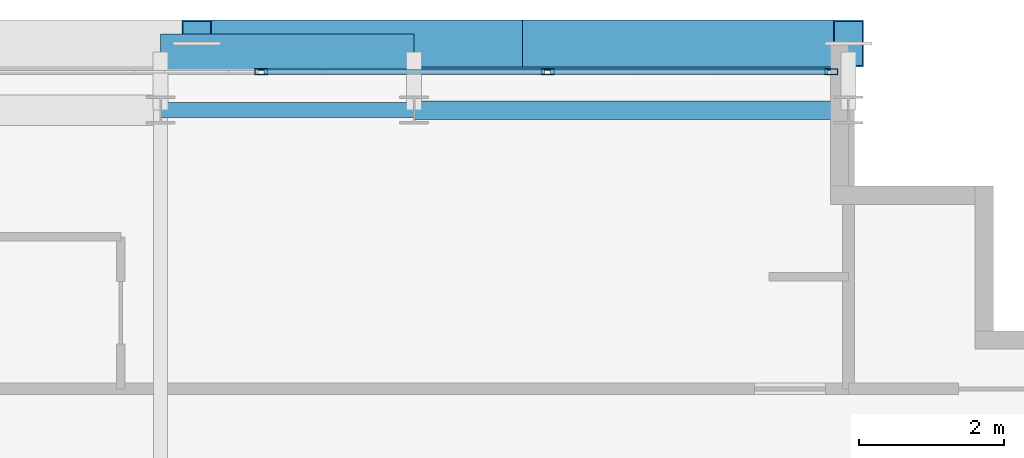
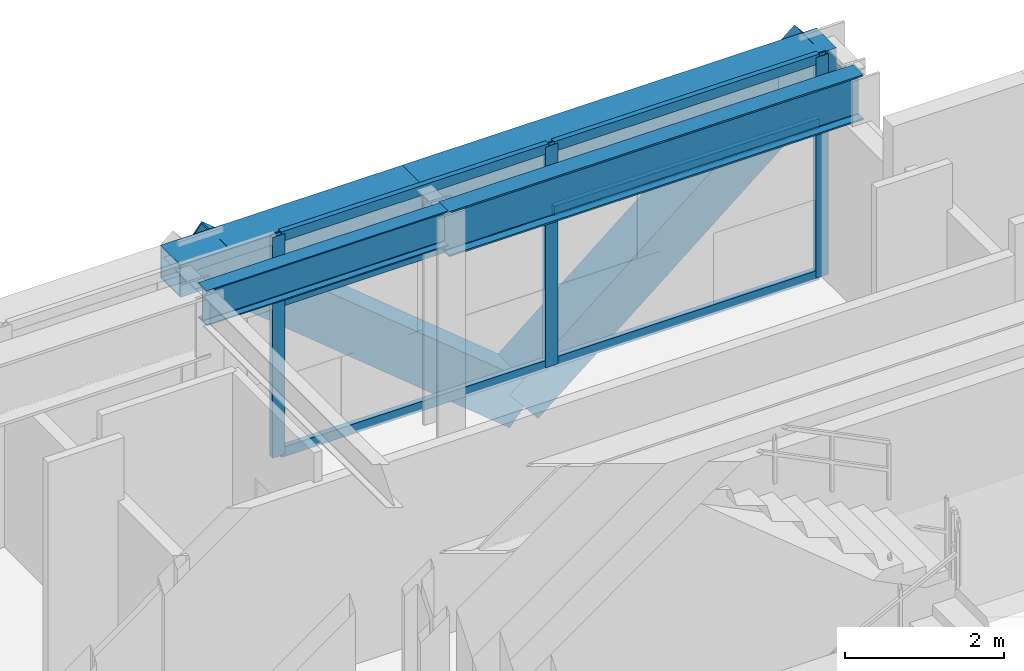
# One storey, part 17 of 29: 11 members, 4 beams, 1 element without a shape of its own.
"""IFC4 building model written with IfcOpenShell, lengths in metres."""

from ifc_helpers import new_model, si_unit, direction, frame, origin, origin_2d, place, context, subcontext, project, spatial, hollow_rectangle, i_section, extrude, source, transform, mapped, material, layer, layer_set, material_profile, profile_set, type_object, element, aggregate, save


model = new_model("IFC4")

# Units and contexts
model_context = context("Model", 3, precision=1e-05, world=origin(), true_north=direction((0.0, 1.0)))
body_context = subcontext(model_context, "Body", "Model", "MODEL_VIEW")
ifc_project = project(units=[si_unit("LENGTHUNIT", "METRE"), si_unit("AREAUNIT", "SQUARE_METRE"), si_unit("VOLUMEUNIT", "CUBIC_METRE"), si_unit("PLANEANGLEUNIT", "RADIAN"), si_unit("MASSUNIT", "GRAM", prefix="KILO")], contexts=[model_context])

# Site, building, storey
site_placement = place(None, origin())
site = spatial("IfcSite", under=ifc_project, at=site_placement, CompositionType="ELEMENT")
building_placement = place(site_placement, origin())
building = spatial("IfcBuilding", under=site, at=building_placement, Name="Ocotamira Hotel", CompositionType="ELEMENT")
storey_placement = place(building_placement, frame((0.0, 0.0, 247.199951171875)))
storey = spatial("IfcBuildingStorey", under=building, at=storey_placement, Name="L62", CompositionType="ELEMENT", Elevation=247.199951171875)

# Beams
ifc_material_1 = material(Name="Steel ASTM A992 Grade 50", Category="steel")
ifc_material_profile_1 = material_profile(ifc_material_1, i_section(OverallWidth=0.256103515625, OverallDepth=0.693115234375, WebThickness=0.014404296875, FlangeThickness=0.023681640625, FilletRadius=0.01611328125, at=origin_2d()), Name="W27X114")
ifc_profile_set_1 = profile_set([ifc_material_profile_1], Name="Steel ASTM A992 Grade 50")
beam_type_1 = type_object("IfcBeamType", Name="BM-PRIM-W27X114", PredefinedType="BEAM", material=ifc_profile_set_1)
shared_shape_1 = source(origin(), body_context, "Body", "SweptSolid", [
    extrude(i_section(OverallWidth=0.256103515625, OverallDepth=0.693115234375, WebThickness=0.014404296875, FlangeThickness=0.023681640625, FilletRadius=0.01611328125, at=origin_2d()), origin(), (0.0, 0.0, 1.0), 6.0),
])
beam_1_placement = place(storey_placement, frame((44.0, 43.050048828125, 3.033447265625), z_axis=(1.0, 0.0, 0.0), x_axis=(0.0, 1.0, 0.0)))
element("IfcBeam", 1, at=beam_1_placement, inside=storey, type_object=beam_type_1, Name="L62 Girder Y43.05 X44-50", PredefinedType="BEAM", context=body_context, shape_type="MappedRepresentation", body=[
    mapped(shared_shape_1, transform((0.0, 0.0, 0.0), scale=1.0)),
])
ifc_material_profile_2 = material_profile(ifc_material_1, i_section(OverallWidth=0.2099609375, OverallDepth=0.537109375, WebThickness=0.010986328125, FlangeThickness=0.017333984375, FilletRadius=0.012939453125, at=origin_2d()), Name="W21X68")
ifc_profile_set_2 = profile_set([ifc_material_profile_2], Name="Steel ASTM A992 Grade 50")
beam_type_2 = type_object("IfcBeamType", Name="BM-SEC-W21X68", PredefinedType="JOIST", material=ifc_profile_set_2)
shared_shape_2 = source(origin(), body_context, "Body", "SweptSolid", [
    extrude(i_section(OverallWidth=0.2099609375, OverallDepth=0.537109375, WebThickness=0.010986328125, FlangeThickness=0.017333984375, FilletRadius=0.012939453125, at=origin_2d()), origin(), (0.0, 0.0, 1.0), 3.5),
])
beam_2_placement = place(storey_placement, frame((40.5, 43.050048828125, 3.111572265625), z_axis=(1.0, 0.0, 0.0), x_axis=(0.0, 1.0, 0.0)))
element("IfcBeam", 2, at=beam_2_placement, inside=storey, type_object=beam_type_2, Name="L62 Girder Y43.05 X40.5-44", PredefinedType="JOIST", context=body_context, shape_type="MappedRepresentation", body=[
    mapped(shared_shape_2, transform((0.0, 0.0, 0.0), scale=1.0)),
])
ifc_material_2 = material(Name="Steel ASTM A500 Grade C", Category="steel")
ifc_material_profile_3 = material_profile(ifc_material_2, hollow_rectangle(XDim=0.5, YDim=0.5, WallThickness=0.02001953125, at=origin_2d()), Name="HSS500X500X20")
ifc_profile_set_3 = profile_set([ifc_material_profile_3], Name="Steel ASTM A500 Grade C")
beam_type_3 = type_object("IfcBeamType", Name="BM-SPAN-HSS500", PredefinedType="USERDEFINED", material=ifc_profile_set_3)
shared_shape_3 = source(origin(), body_context, "Body", "SweptSolid", [
    extrude(hollow_rectangle(XDim=0.5, YDim=0.5, WallThickness=0.02001953125, at=origin_2d()), origin(), (0.0, 0.0, 1.0), 6.0),
])
beam_3_placement = place(storey_placement, frame((44.0, 43.85009765625, 3.130126953125), z_axis=(1.0, 0.0, 0.0), x_axis=(0.0, 1.0, 0.0)))
element("IfcBeam", 3, at=beam_3_placement, inside=storey, type_object=beam_type_3, Name="L62 Edge Spandrel N X44-50", ObjectType="SPANDREL", PredefinedType="USERDEFINED", context=body_context, shape_type="MappedRepresentation", body=[
    mapped(shared_shape_3, transform((0.0, 0.0, 0.0), scale=1.0)),
])
shared_shape_4 = source(origin(), body_context, "Body", "SweptSolid", [
    extrude(hollow_rectangle(XDim=0.5, YDim=0.5, WallThickness=0.02001953125, at=origin_2d()), origin(), (0.0, 0.0, 1.0), 3.5),
])
beam_4_placement = place(storey_placement, frame((40.5, 43.85009765625, 3.130126953125), z_axis=(1.0, 0.0, 0.0), x_axis=(0.0, 1.0, 0.0)))
element("IfcBeam", 4, at=beam_4_placement, inside=storey, type_object=beam_type_3, Name="L62 Edge Spandrel N X40.5-44", ObjectType="SPANDREL", PredefinedType="USERDEFINED", context=body_context, shape_type="MappedRepresentation", body=[
    mapped(shared_shape_4, transform((0.0, 0.0, 0.0), scale=1.0)),
])

# Members
ifc_material_3 = material(Name="Pale-metal coated steel ASTM A913 Grade 65", Category="steel")
ifc_material_profile_4 = material_profile(ifc_material_3, hollow_rectangle(XDim=0.64990234375, YDim=0.64990234375, WallThickness=0.02197265625, at=origin_2d()), Name="BOX650X650X22")
ifc_profile_set_4 = profile_set([ifc_material_profile_4], Name="Pale-metal coated steel ASTM A913 Grade 65")
member_type_1 = type_object("IfcMemberType", Name="MEM-EXO-BOX650", PredefinedType="BRACE", material=ifc_profile_set_4)
shared_shape_5 = source(origin(), body_context, "Body", "SweptSolid", [
    extrude(hollow_rectangle(XDim=0.64990234375, YDim=0.64990234375, WallThickness=0.02197265625, at=origin_2d()), origin(), (0.0, 0.0, 1.0), 5.825927734375),
])
for number, where, z_axis, x_axis, name in (
    (5, (45.5, 43.969970703125, -0.570068359375), (-0.772409039467, 0.0, 0.635125401593), (0.0, -1.0, 0.0), "L62 Exoskeleton Diagrid N3.1"),
    (6, (45.5, 43.969970703125, -0.570068359375), (0.772409039467, 0.0, 0.635125401593), (0.0, 1.0, 0.0), "L62 Exoskeleton Diagrid N3.2"),
):
    element("IfcMember", number, at=place(storey_placement, frame(where, z_axis=z_axis, x_axis=x_axis)), inside=storey, type_object=member_type_1, Name=name, PredefinedType="BRACE", context=body_context, shape_type="MappedRepresentation", body=[
        mapped(shared_shape_5, transform((0.0, 0.0, 0.0), scale=1.0)),
    ])

# Curtain wall, members
ifc_material_4 = material(Name="Anodised pale-metal aluminium and solar glass", Category="aluminium")
ifc_layer = layer(ifc_material_4, 0.239990234375)
ifc_layer_set = layer_set([ifc_layer], Name="Anodised pale-metal aluminium and solar glass")
curtain_wall_type = type_object("IfcCurtainWallType", Name="CW-SYS5-SKY", PredefinedType="NOTDEFINED", material=ifc_layer_set)
curtain_wall_placement = place(storey_placement, origin())
curtain_wall = element("IfcCurtainWall", 7, at=curtain_wall_placement, inside=storey, type_object=curtain_wall_type, Name="L62 Curtain Wall CW-5 CW-L62-N", PredefinedType="NOTDEFINED")
ifc_material_5 = material(Name="Anodised pale-metal aluminium 6063-T6", Category="aluminium")
ifc_material_profile_5 = material_profile(ifc_material_5, hollow_rectangle(XDim=0.074951171875, YDim=0.14990234375, WallThickness=0.006103515625, at=origin_2d()), Name="HSS150X75X6")
ifc_profile_set_5 = profile_set([ifc_material_profile_5], Name="Anodised pale-metal aluminium 6063-T6")
member_type_2 = type_object("IfcMemberType", Name="CWT-150X75", PredefinedType="USERDEFINED", material=ifc_profile_set_5)
shared_shape_6 = source(origin(), body_context, "Body", "SweptSolid", [
    extrude(hollow_rectangle(XDim=0.074951171875, YDim=0.14990234375, WallThickness=0.006103515625, at=origin_2d()), origin(), (0.0, 0.0, 1.0), 3.83544921875),
])
member_1_placement = place(storey_placement, frame((45.884521484375, 43.580078125, 0.03759765625), z_axis=(1.0, 0.0, 0.0), x_axis=(0.0, 1.0, 0.0)))
member_1 = element("IfcMember", 8, at=member_1_placement, type_object=member_type_2, Name="CW-5 transom 9.1", ObjectType="TRANSOM", PredefinedType="USERDEFINED", context=body_context, shape_type="MappedRepresentation", body=[
    mapped(shared_shape_6, transform((0.0, 0.0, 0.0), scale=1.0)),
])
member_2_placement = place(storey_placement, frame((45.884521484375, 43.580078125, 2.35009765625), z_axis=(1.0, 0.0, 0.0), x_axis=(0.0, 1.0, 0.0)))
member_2 = element("IfcMember", 9, at=member_2_placement, type_object=member_type_2, Name="CW-5 transom 9.2", ObjectType="TRANSOM", PredefinedType="USERDEFINED", context=body_context, shape_type="MappedRepresentation", body=[
    mapped(shared_shape_6, transform((0.0, 0.0, 0.0), scale=1.0)),
])
member_3_placement = place(storey_placement, frame((45.884521484375, 43.580078125, 3.342529296875), z_axis=(1.0, 0.0, 0.0), x_axis=(0.0, 1.0, 0.0)))
member_3 = element("IfcMember", 10, at=member_3_placement, type_object=member_type_2, Name="CW-5 transom 9.3", ObjectType="TRANSOM", PredefinedType="USERDEFINED", context=body_context, shape_type="MappedRepresentation", body=[
    mapped(shared_shape_6, transform((0.0, 0.0, 0.0), scale=1.0)),
])
shared_shape_7 = source(origin(), body_context, "Body", "SweptSolid", [
    extrude(hollow_rectangle(XDim=0.074951171875, YDim=0.14990234375, WallThickness=0.006103515625, at=origin_2d()), origin(), (0.0, 0.0, 1.0), 3.87548828125),
])
member_4_placement = place(storey_placement, frame((41.928955078125, 43.580078125, 0.03759765625), z_axis=(1.0, 0.0, 0.0), x_axis=(0.0, 1.0, 0.0)))
member_4 = element("IfcMember", 11, at=member_4_placement, type_object=member_type_2, Name="CW-5 transom 8.1", ObjectType="TRANSOM", PredefinedType="USERDEFINED", context=body_context, shape_type="MappedRepresentation", body=[
    mapped(shared_shape_7, transform((0.0, 0.0, 0.0), scale=1.0)),
])
member_5_placement = place(storey_placement, frame((41.928955078125, 43.580078125, 2.35009765625), z_axis=(1.0, 0.0, 0.0), x_axis=(0.0, 1.0, 0.0)))
member_5 = element("IfcMember", 12, at=member_5_placement, type_object=member_type_2, Name="CW-5 transom 8.2", ObjectType="TRANSOM", PredefinedType="USERDEFINED", context=body_context, shape_type="MappedRepresentation", body=[
    mapped(shared_shape_7, transform((0.0, 0.0, 0.0), scale=1.0)),
])
member_6_placement = place(storey_placement, frame((41.928955078125, 43.580078125, 3.342529296875), z_axis=(1.0, 0.0, 0.0), x_axis=(0.0, 1.0, 0.0)))
member_6 = element("IfcMember", 13, at=member_6_placement, type_object=member_type_2, Name="CW-5 transom 8.3", ObjectType="TRANSOM", PredefinedType="USERDEFINED", context=body_context, shape_type="MappedRepresentation", body=[
    mapped(shared_shape_7, transform((0.0, 0.0, 0.0), scale=1.0)),
])
ifc_material_profile_6 = material_profile(ifc_material_5, hollow_rectangle(XDim=0.080078125, YDim=0.179931640625, WallThickness=0.006103515625, at=origin_2d()), Name="HSS180X80X6")
ifc_profile_set_6 = profile_set([ifc_material_profile_6], Name="Anodised pale-metal aluminium 6063-T6")
member_type_3 = type_object("IfcMemberType", Name="CWM-180X75", PredefinedType="MULLION", material=ifc_profile_set_6)
shared_shape_8 = source(origin(), body_context, "Body", "SweptSolid", [
    extrude(hollow_rectangle(XDim=0.080078125, YDim=0.179931640625, WallThickness=0.006103515625, at=origin_2d()), origin(), (0.0, 0.0, 1.0), 3.380126953125),
])
member_7_placement = place(storey_placement, frame((41.888916015625, 43.580078125, 0.0), z_axis=(0.0, 0.0, 1.0), x_axis=(0.0, 1.0, 0.0)))
member_7 = element("IfcMember", 14, at=member_7_placement, type_object=member_type_3, Name="CW-5 mullion 8", PredefinedType="MULLION", context=body_context, shape_type="MappedRepresentation", body=[
    mapped(shared_shape_8, transform((0.0, 0.0, 0.0), scale=1.0)),
])
member_8_placement = place(storey_placement, frame((45.844482421875, 43.580078125, 0.0), z_axis=(0.0, 0.0, 1.0), x_axis=(0.0, 1.0, 0.0)))
member_8 = element("IfcMember", 15, at=member_8_placement, type_object=member_type_3, Name="CW-5 mullion 9", PredefinedType="MULLION", context=body_context, shape_type="MappedRepresentation", body=[
    mapped(shared_shape_8, transform((0.0, 0.0, 0.0), scale=1.0)),
])
member_9_placement = place(storey_placement, frame((49.760009765625, 43.580078125, 0.0), z_axis=(0.0, 0.0, 1.0), x_axis=(0.0, 1.0, 0.0)))
member_9 = element("IfcMember", 16, at=member_9_placement, type_object=member_type_3, Name="CW-5 mullion 10", PredefinedType="MULLION", context=body_context, shape_type="MappedRepresentation", body=[
    mapped(shared_shape_8, transform((0.0, 0.0, 0.0), scale=1.0)),
])
aggregate(curtain_wall, [member_7, member_8, member_9, member_4, member_5, member_6, member_1, member_2, member_3])

save(model, "model.ifc")
